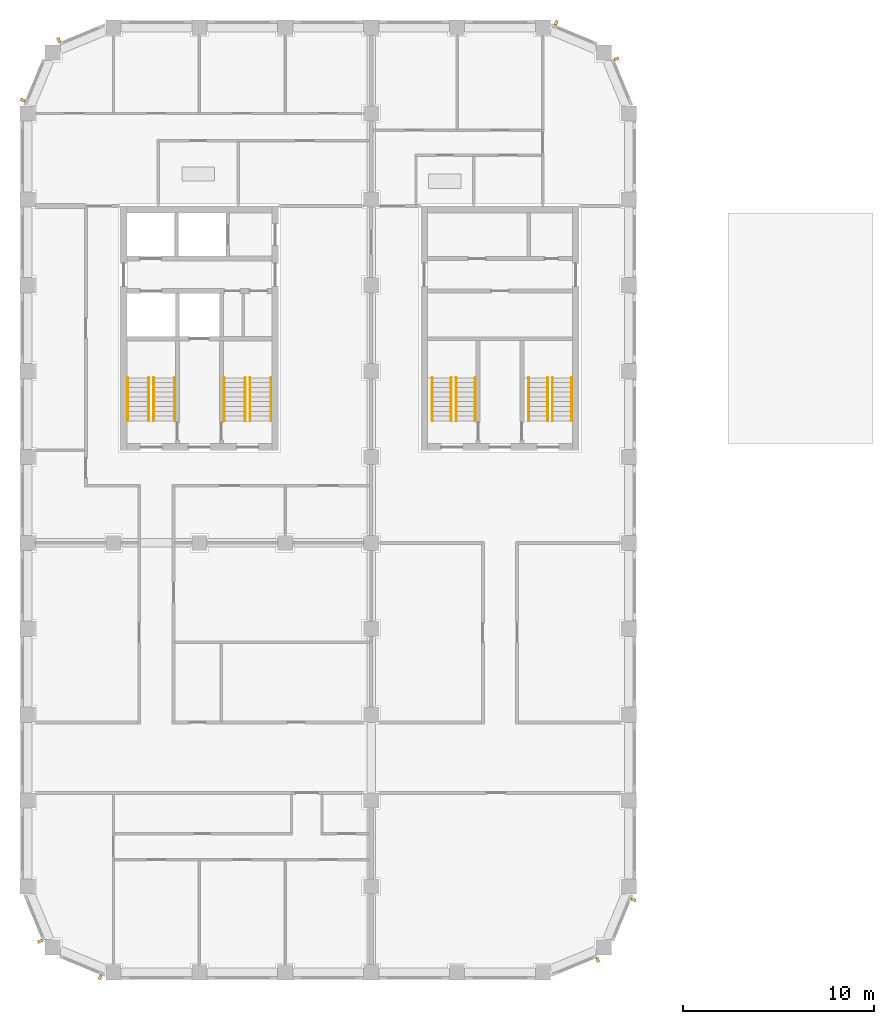
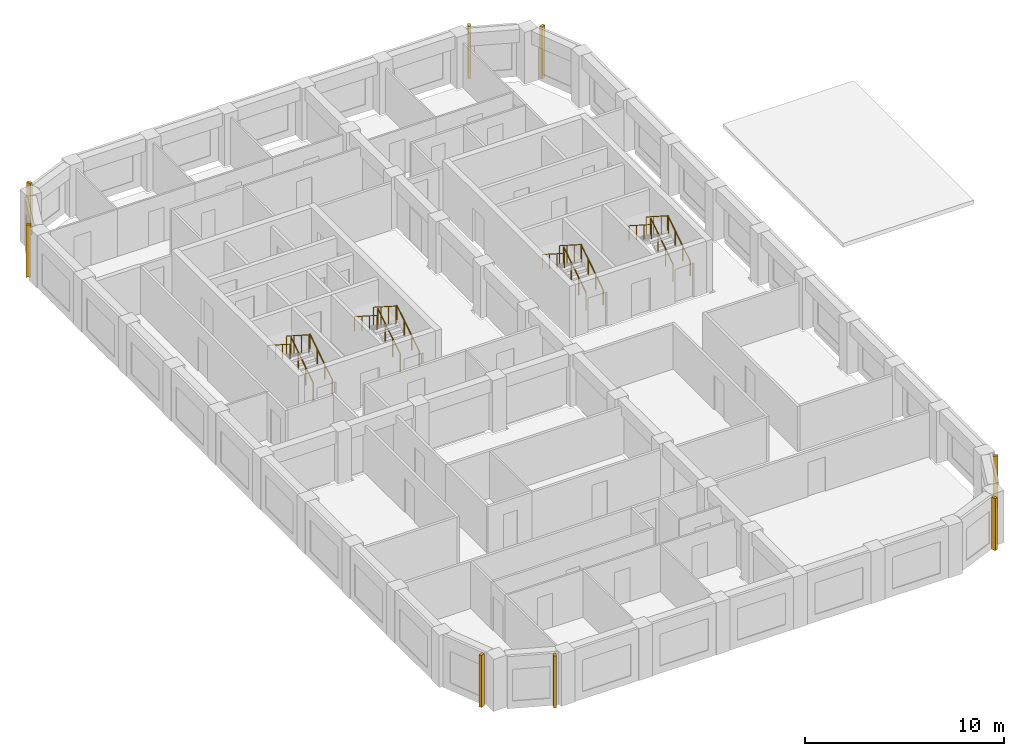
# One storey, part 8 of 9: 16 railings, 8 shading devices.
"""IFC4 building model written with IfcOpenShell, lengths in metres."""

from ifc_helpers import new_model, si_unit, direction, frame, origin, origin_2d, place, context, subcontext, project, spatial, rectangle, circle, extrude, material, type_object, element, save


model = new_model("IFC4")

# Units and contexts
model_context = context("Model", 3, precision=1e-05, world=origin(), true_north=direction((0.0, 1.0)))
body_context = subcontext(model_context, "Body", "Model", "MODEL_VIEW")
ifc_project = project(units=[si_unit("LENGTHUNIT", "METRE"), si_unit("AREAUNIT", "SQUARE_METRE"), si_unit("VOLUMEUNIT", "CUBIC_METRE"), si_unit("PLANEANGLEUNIT", "RADIAN"), si_unit("MASSUNIT", "GRAM", prefix="KILO")], contexts=[model_context])

# Site, building, storey
site_placement = place(None, origin())
site = spatial("IfcSite", under=ifc_project, at=site_placement, CompositionType="ELEMENT")
building_placement = place(site_placement, origin())
building = spatial("IfcBuilding", under=site, at=building_placement, Name="Girih Gate Residences", CompositionType="ELEMENT")
storey_placement = place(building_placement, frame((0.0, 0.0, 179.5)))
storey = spatial("IfcBuildingStorey", under=building, at=storey_placement, Name="L49", CompositionType="ELEMENT", Elevation=179.5)

# Shading devices
ifc_material_1 = material(Name="Precast concrete C50/60", Category="concrete")
shading_device_type = type_object("IfcShadingDeviceType", Name="Corner rib 150x250", PredefinedType="USERDEFINED", material=ifc_material_1)
for number, where, z_axis, x_axis, name in (
    (1, (29.867919921875, 0.646728515625, 0.0), (0.0, 0.0, 1.0), (0.923879532511, 0.382683432365, 0.0), "Corner rib SE0270_0000.0"),
    (2, (31.752685546875, 3.80322265625, 0.0), (0.0, 0.0, 1.0), (0.382683432365, 0.923879532511, 0.0), "Corner rib SE0302_0013.0"),
    (3, (30.853271484375, 47.867919921875, 0.0), (0.0, 0.0, 1.0), (-0.382683432365, 0.923879532511, 0.0), "Corner rib NE0315_0450.0"),
    (4, (27.69677734375, 49.752685546875, 0.0), (0.0, 0.0, 1.0), (-0.923879532511, 0.382683432365, 0.0), "Corner rib NE0302_0482.0"),
    (5, (1.632080078125, 48.853271484375, 0.0), (0.0, 0.0, 1.0), (-0.923879532511, -0.382683432365, 0.0), "Corner rib NW0045_0495.0"),
    (6, (-0.252685546875, 45.69677734375, 0.0), (0.0, 0.0, 1.0), (-0.382683432365, -0.923879532511, 0.0), "Corner rib NW0013_0482.0"),
    (7, (0.646728515625, 1.632080078125, 0.0), (0.0, 0.0, 1.0), (0.382683432365, -0.923879532511, 0.0), "Corner rib SW0000_0045.0"),
    (8, (3.80322265625, -0.252685546875, 0.0), (0.0, 0.0, 1.0), (0.923879532511, -0.382683432365, 0.0), "Corner rib SW0013_0013.0"),
):
    element("IfcShadingDevice", number, at=place(storey_placement, frame(where, z_axis=z_axis, x_axis=x_axis)), inside=storey, type_object=shading_device_type, Name=name, ObjectType="FIN", PredefinedType="USERDEFINED", context=body_context, shape_type="SweptSolid", body=[
        extrude(rectangle(XDim=0.14990234375, YDim=0.25, at=origin_2d()), origin(), (0.0, 0.0, 1.0), 3.199951171875),
    ])

# Railings
ifc_material_2 = material(Name="Stainless steel", Category="steel")
railing_type_1 = type_object("IfcRailingType", Name="Stair guard 1100", PredefinedType="GUARDRAIL", material=ifc_material_2)
railing_1_placement = place(storey_placement, frame((6.60009765625, 28.89990234375, 0.159912109375)))
element("IfcRailing", 9, at=railing_1_placement, inside=storey, type_object=railing_type_1, Name="L49 ST-W1 stair guard 1", PredefinedType="GUARDRAIL", context=body_context, shape_type="SweptSolid", body=[
    extrude(circle(Radius=0.02392578125, at=origin_2d()), frame((0.0, 0.0, 1.076171875), z_axis=(0.0, 0.842239864353, 0.539102968731), x_axis=(-1.0, 0.0, 0.0)), (0.0, 0.0, 1.0), 2.67138671875),
    extrude(circle(Radius=0.02099609375, at=origin_2d()), origin(), (0.0, 0.0, 1.0), 1.052001953125),
    extrude(circle(Radius=0.02099609375, at=origin_2d()), frame((0.0, 0.75, 0.47998046875)), (0.0, 0.0, 1.0), 1.052001953125),
    extrude(circle(Radius=0.02099609375, at=origin_2d()), frame((0.0, 1.5, 0.960205078125)), (0.0, 0.0, 1.0), 1.052001953125),
    extrude(circle(Radius=0.02099609375, at=origin_2d()), frame((0.0, 2.25, 1.440185546875)), (0.0, 0.0, 1.0), 1.052001953125),
])
railing_2_placement = place(storey_placement, frame((6.35009765625, 31.14990234375, 1.760009765625)))
element("IfcRailing", 10, at=railing_2_placement, inside=storey, type_object=railing_type_1, Name="L49 ST-W1 stair guard 2", PredefinedType="GUARDRAIL", context=body_context, shape_type="SweptSolid", body=[
    extrude(circle(Radius=0.02392578125, at=origin_2d()), frame((0.0, 0.0, 1.076171875), z_axis=(0.0, -0.842281359387, 0.539038135598), x_axis=(1.0, 0.0, 0.0)), (0.0, 0.0, 1.0), 2.67138671875),
    extrude(circle(Radius=0.02099609375, at=origin_2d()), origin(), (0.0, 0.0, 1.0), 1.052001953125),
    extrude(circle(Radius=0.02099609375, at=origin_2d()), frame((0.0, -0.75, 0.47998046875)), (0.0, 0.0, 1.0), 1.052001953125),
    extrude(circle(Radius=0.02099609375, at=origin_2d()), frame((0.0, -1.5, 0.9599609375)), (0.0, 0.0, 1.0), 1.052001953125),
    extrude(circle(Radius=0.02099609375, at=origin_2d()), frame((0.0, -2.25, 1.43994140625)), (0.0, 0.0, 1.0), 1.052001953125),
])
railing_3_placement = place(storey_placement, frame((11.64990234375, 28.89990234375, 0.159912109375)))
element("IfcRailing", 11, at=railing_3_placement, inside=storey, type_object=railing_type_1, Name="L49 ST-W2 stair guard 1", PredefinedType="GUARDRAIL", context=body_context, shape_type="SweptSolid", body=[
    extrude(circle(Radius=0.02392578125, at=origin_2d()), frame((0.0, 0.0, 1.076171875), z_axis=(0.0, 0.842239864353, 0.539102968731), x_axis=(-1.0, 0.0, 0.0)), (0.0, 0.0, 1.0), 2.67138671875),
    extrude(circle(Radius=0.02099609375, at=origin_2d()), origin(), (0.0, 0.0, 1.0), 1.052001953125),
    extrude(circle(Radius=0.02099609375, at=origin_2d()), frame((0.0, 0.75, 0.47998046875)), (0.0, 0.0, 1.0), 1.052001953125),
    extrude(circle(Radius=0.02099609375, at=origin_2d()), frame((0.0, 1.5, 0.960205078125)), (0.0, 0.0, 1.0), 1.052001953125),
    extrude(circle(Radius=0.02099609375, at=origin_2d()), frame((0.0, 2.25, 1.440185546875)), (0.0, 0.0, 1.0), 1.052001953125),
])
railing_4_placement = place(storey_placement, frame((11.39990234375, 31.14990234375, 1.760009765625)))
element("IfcRailing", 12, at=railing_4_placement, inside=storey, type_object=railing_type_1, Name="L49 ST-W2 stair guard 2", PredefinedType="GUARDRAIL", context=body_context, shape_type="SweptSolid", body=[
    extrude(circle(Radius=0.02392578125, at=origin_2d()), frame((0.0, 0.0, 1.076171875), z_axis=(0.0, -0.842281359387, 0.539038135598), x_axis=(1.0, 0.0, 0.0)), (0.0, 0.0, 1.0), 2.67138671875),
    extrude(circle(Radius=0.02099609375, at=origin_2d()), origin(), (0.0, 0.0, 1.0), 1.052001953125),
    extrude(circle(Radius=0.02099609375, at=origin_2d()), frame((0.0, -0.75, 0.47998046875)), (0.0, 0.0, 1.0), 1.052001953125),
    extrude(circle(Radius=0.02099609375, at=origin_2d()), frame((0.0, -1.5, 0.9599609375)), (0.0, 0.0, 1.0), 1.052001953125),
    extrude(circle(Radius=0.02099609375, at=origin_2d()), frame((0.0, -2.25, 1.43994140625)), (0.0, 0.0, 1.0), 1.052001953125),
])
railing_5_placement = place(storey_placement, frame((22.449951171875, 28.89990234375, 0.159912109375)))
element("IfcRailing", 13, at=railing_5_placement, inside=storey, type_object=railing_type_1, Name="L49 ST-C1 stair guard 1", PredefinedType="GUARDRAIL", context=body_context, shape_type="SweptSolid", body=[
    extrude(circle(Radius=0.02392578125, at=origin_2d()), frame((0.0, 0.0, 1.076171875), z_axis=(0.0, 0.842239864353, 0.539102968731), x_axis=(-1.0, 0.0, 0.0)), (0.0, 0.0, 1.0), 2.67138671875),
    extrude(circle(Radius=0.02099609375, at=origin_2d()), origin(), (0.0, 0.0, 1.0), 1.052001953125),
    extrude(circle(Radius=0.02099609375, at=origin_2d()), frame((0.0, 0.75, 0.47998046875)), (0.0, 0.0, 1.0), 1.052001953125),
    extrude(circle(Radius=0.02099609375, at=origin_2d()), frame((0.0, 1.5, 0.960205078125)), (0.0, 0.0, 1.0), 1.052001953125),
    extrude(circle(Radius=0.02099609375, at=origin_2d()), frame((0.0, 2.25, 1.440185546875)), (0.0, 0.0, 1.0), 1.052001953125),
])
railing_6_placement = place(storey_placement, frame((22.199951171875, 31.14990234375, 1.760009765625)))
element("IfcRailing", 14, at=railing_6_placement, inside=storey, type_object=railing_type_1, Name="L49 ST-C1 stair guard 2", PredefinedType="GUARDRAIL", context=body_context, shape_type="SweptSolid", body=[
    extrude(circle(Radius=0.02392578125, at=origin_2d()), frame((0.0, 0.0, 1.076171875), z_axis=(0.0, -0.842281359387, 0.539038135598), x_axis=(1.0, 0.0, 0.0)), (0.0, 0.0, 1.0), 2.67138671875),
    extrude(circle(Radius=0.02099609375, at=origin_2d()), origin(), (0.0, 0.0, 1.0), 1.052001953125),
    extrude(circle(Radius=0.02099609375, at=origin_2d()), frame((0.0, -0.75, 0.47998046875)), (0.0, 0.0, 1.0), 1.052001953125),
    extrude(circle(Radius=0.02099609375, at=origin_2d()), frame((0.0, -1.5, 0.9599609375)), (0.0, 0.0, 1.0), 1.052001953125),
    extrude(circle(Radius=0.02099609375, at=origin_2d()), frame((0.0, -2.25, 1.43994140625)), (0.0, 0.0, 1.0), 1.052001953125),
])
railing_7_placement = place(storey_placement, frame((27.5, 28.89990234375, 0.159912109375)))
element("IfcRailing", 15, at=railing_7_placement, inside=storey, type_object=railing_type_1, Name="L49 ST-C2 stair guard 1", PredefinedType="GUARDRAIL", context=body_context, shape_type="SweptSolid", body=[
    extrude(circle(Radius=0.02392578125, at=origin_2d()), frame((0.0, 0.0, 1.076171875), z_axis=(0.0, 0.842239864353, 0.539102968731), x_axis=(-1.0, 0.0, 0.0)), (0.0, 0.0, 1.0), 2.67138671875),
    extrude(circle(Radius=0.02099609375, at=origin_2d()), origin(), (0.0, 0.0, 1.0), 1.052001953125),
    extrude(circle(Radius=0.02099609375, at=origin_2d()), frame((0.0, 0.75, 0.47998046875)), (0.0, 0.0, 1.0), 1.052001953125),
    extrude(circle(Radius=0.02099609375, at=origin_2d()), frame((0.0, 1.5, 0.960205078125)), (0.0, 0.0, 1.0), 1.052001953125),
    extrude(circle(Radius=0.02099609375, at=origin_2d()), frame((0.0, 2.25, 1.440185546875)), (0.0, 0.0, 1.0), 1.052001953125),
])
railing_8_placement = place(storey_placement, frame((27.25, 31.14990234375, 1.760009765625)))
element("IfcRailing", 16, at=railing_8_placement, inside=storey, type_object=railing_type_1, Name="L49 ST-C2 stair guard 2", PredefinedType="GUARDRAIL", context=body_context, shape_type="SweptSolid", body=[
    extrude(circle(Radius=0.02392578125, at=origin_2d()), frame((0.0, 0.0, 1.076171875), z_axis=(0.0, -0.842281359387, 0.539038135598), x_axis=(1.0, 0.0, 0.0)), (0.0, 0.0, 1.0), 2.67138671875),
    extrude(circle(Radius=0.02099609375, at=origin_2d()), origin(), (0.0, 0.0, 1.0), 1.052001953125),
    extrude(circle(Radius=0.02099609375, at=origin_2d()), frame((0.0, -0.75, 0.47998046875)), (0.0, 0.0, 1.0), 1.052001953125),
    extrude(circle(Radius=0.02099609375, at=origin_2d()), frame((0.0, -1.5, 0.9599609375)), (0.0, 0.0, 1.0), 1.052001953125),
    extrude(circle(Radius=0.02099609375, at=origin_2d()), frame((0.0, -2.25, 1.43994140625)), (0.0, 0.0, 1.0), 1.052001953125),
])
railing_type_2 = type_object("IfcRailingType", Name="Stair handrail 900", PredefinedType="HANDRAIL", material=ifc_material_2)
railing_9_placement = place(storey_placement, frame((7.699951171875, 28.89990234375, 0.159912109375)))
element("IfcRailing", 17, at=railing_9_placement, inside=storey, type_object=railing_type_2, Name="L49 ST-W1 stair handrail 1", PredefinedType="HANDRAIL", context=body_context, shape_type="SweptSolid", body=[
    extrude(circle(Radius=0.02392578125, at=origin_2d()), frame((0.0, 0.0, 0.8857421875), z_axis=(0.0, 0.842239864353, 0.539102968731), x_axis=(-1.0, 0.0, 0.0)), (0.0, 0.0, 1.0), 2.67138671875),
    extrude(circle(Radius=0.02099609375, at=origin_2d()), origin(), (0.0, 0.0, 1.0), 0.86181640625),
    extrude(circle(Radius=0.02099609375, at=origin_2d()), frame((0.0, 0.75, 0.47998046875)), (0.0, 0.0, 1.0), 0.86181640625),
    extrude(circle(Radius=0.02099609375, at=origin_2d()), frame((0.0, 1.5, 0.960205078125)), (0.0, 0.0, 1.0), 0.86181640625),
    extrude(circle(Radius=0.02099609375, at=origin_2d()), frame((0.0, 2.25, 1.440185546875)), (0.0, 0.0, 1.0), 0.86181640625),
])
railing_10_placement = place(storey_placement, frame((5.25, 31.14990234375, 1.760009765625)))
element("IfcRailing", 18, at=railing_10_placement, inside=storey, type_object=railing_type_2, Name="L49 ST-W1 stair handrail 2", PredefinedType="HANDRAIL", context=body_context, shape_type="SweptSolid", body=[
    extrude(circle(Radius=0.02392578125, at=origin_2d()), frame((0.0, 0.0, 0.8857421875), z_axis=(0.0, -0.842281359387, 0.539038135598), x_axis=(1.0, 0.0, 0.0)), (0.0, 0.0, 1.0), 2.67138671875),
    extrude(circle(Radius=0.02099609375, at=origin_2d()), origin(), (0.0, 0.0, 1.0), 0.86181640625),
    extrude(circle(Radius=0.02099609375, at=origin_2d()), frame((0.0, -0.75, 0.47998046875)), (0.0, 0.0, 1.0), 0.86181640625),
    extrude(circle(Radius=0.02099609375, at=origin_2d()), frame((0.0, -1.5, 0.9599609375)), (0.0, 0.0, 1.0), 0.86181640625),
    extrude(circle(Radius=0.02099609375, at=origin_2d()), frame((0.0, -2.25, 1.43994140625)), (0.0, 0.0, 1.0), 0.86181640625),
])
railing_11_placement = place(storey_placement, frame((12.75, 28.89990234375, 0.159912109375)))
element("IfcRailing", 19, at=railing_11_placement, inside=storey, type_object=railing_type_2, Name="L49 ST-W2 stair handrail 1", PredefinedType="HANDRAIL", context=body_context, shape_type="SweptSolid", body=[
    extrude(circle(Radius=0.02392578125, at=origin_2d()), frame((0.0, 0.0, 0.8857421875), z_axis=(0.0, 0.842239864353, 0.539102968731), x_axis=(-1.0, 0.0, 0.0)), (0.0, 0.0, 1.0), 2.67138671875),
    extrude(circle(Radius=0.02099609375, at=origin_2d()), origin(), (0.0, 0.0, 1.0), 0.86181640625),
    extrude(circle(Radius=0.02099609375, at=origin_2d()), frame((0.0, 0.75, 0.47998046875)), (0.0, 0.0, 1.0), 0.86181640625),
    extrude(circle(Radius=0.02099609375, at=origin_2d()), frame((0.0, 1.5, 0.960205078125)), (0.0, 0.0, 1.0), 0.86181640625),
    extrude(circle(Radius=0.02099609375, at=origin_2d()), frame((0.0, 2.25, 1.440185546875)), (0.0, 0.0, 1.0), 0.86181640625),
])
railing_12_placement = place(storey_placement, frame((10.300048828125, 31.14990234375, 1.760009765625)))
element("IfcRailing", 20, at=railing_12_placement, inside=storey, type_object=railing_type_2, Name="L49 ST-W2 stair handrail 2", PredefinedType="HANDRAIL", context=body_context, shape_type="SweptSolid", body=[
    extrude(circle(Radius=0.02392578125, at=origin_2d()), frame((0.0, 0.0, 0.8857421875), z_axis=(0.0, -0.842281359387, 0.539038135598), x_axis=(1.0, 0.0, 0.0)), (0.0, 0.0, 1.0), 2.67138671875),
    extrude(circle(Radius=0.02099609375, at=origin_2d()), origin(), (0.0, 0.0, 1.0), 0.86181640625),
    extrude(circle(Radius=0.02099609375, at=origin_2d()), frame((0.0, -0.75, 0.47998046875)), (0.0, 0.0, 1.0), 0.86181640625),
    extrude(circle(Radius=0.02099609375, at=origin_2d()), frame((0.0, -1.5, 0.9599609375)), (0.0, 0.0, 1.0), 0.86181640625),
    extrude(circle(Radius=0.02099609375, at=origin_2d()), frame((0.0, -2.25, 1.43994140625)), (0.0, 0.0, 1.0), 0.86181640625),
])
railing_13_placement = place(storey_placement, frame((23.449951171875, 28.89990234375, 0.159912109375)))
element("IfcRailing", 21, at=railing_13_placement, inside=storey, type_object=railing_type_2, Name="L49 ST-C1 stair handrail 1", PredefinedType="HANDRAIL", context=body_context, shape_type="SweptSolid", body=[
    extrude(circle(Radius=0.02392578125, at=origin_2d()), frame((0.0, 0.0, 0.8857421875), z_axis=(0.0, 0.842239864353, 0.539102968731), x_axis=(-1.0, 0.0, 0.0)), (0.0, 0.0, 1.0), 2.67138671875),
    extrude(circle(Radius=0.02099609375, at=origin_2d()), origin(), (0.0, 0.0, 1.0), 0.86181640625),
    extrude(circle(Radius=0.02099609375, at=origin_2d()), frame((0.0, 0.75, 0.47998046875)), (0.0, 0.0, 1.0), 0.86181640625),
    extrude(circle(Radius=0.02099609375, at=origin_2d()), frame((0.0, 1.5, 0.960205078125)), (0.0, 0.0, 1.0), 0.86181640625),
    extrude(circle(Radius=0.02099609375, at=origin_2d()), frame((0.0, 2.25, 1.440185546875)), (0.0, 0.0, 1.0), 0.86181640625),
])
railing_14_placement = place(storey_placement, frame((21.199951171875, 31.14990234375, 1.760009765625)))
element("IfcRailing", 22, at=railing_14_placement, inside=storey, type_object=railing_type_2, Name="L49 ST-C1 stair handrail 2", PredefinedType="HANDRAIL", context=body_context, shape_type="SweptSolid", body=[
    extrude(circle(Radius=0.02392578125, at=origin_2d()), frame((0.0, 0.0, 0.8857421875), z_axis=(0.0, -0.842281359387, 0.539038135598), x_axis=(1.0, 0.0, 0.0)), (0.0, 0.0, 1.0), 2.67138671875),
    extrude(circle(Radius=0.02099609375, at=origin_2d()), origin(), (0.0, 0.0, 1.0), 0.86181640625),
    extrude(circle(Radius=0.02099609375, at=origin_2d()), frame((0.0, -0.75, 0.47998046875)), (0.0, 0.0, 1.0), 0.86181640625),
    extrude(circle(Radius=0.02099609375, at=origin_2d()), frame((0.0, -1.5, 0.9599609375)), (0.0, 0.0, 1.0), 0.86181640625),
    extrude(circle(Radius=0.02099609375, at=origin_2d()), frame((0.0, -2.25, 1.43994140625)), (0.0, 0.0, 1.0), 0.86181640625),
])
railing_15_placement = place(storey_placement, frame((28.5, 28.89990234375, 0.159912109375)))
element("IfcRailing", 23, at=railing_15_placement, inside=storey, type_object=railing_type_2, Name="L49 ST-C2 stair handrail 1", PredefinedType="HANDRAIL", context=body_context, shape_type="SweptSolid", body=[
    extrude(circle(Radius=0.02392578125, at=origin_2d()), frame((0.0, 0.0, 0.8857421875), z_axis=(0.0, 0.842239864353, 0.539102968731), x_axis=(-1.0, 0.0, 0.0)), (0.0, 0.0, 1.0), 2.67138671875),
    extrude(circle(Radius=0.02099609375, at=origin_2d()), origin(), (0.0, 0.0, 1.0), 0.86181640625),
    extrude(circle(Radius=0.02099609375, at=origin_2d()), frame((0.0, 0.75, 0.47998046875)), (0.0, 0.0, 1.0), 0.86181640625),
    extrude(circle(Radius=0.02099609375, at=origin_2d()), frame((0.0, 1.5, 0.960205078125)), (0.0, 0.0, 1.0), 0.86181640625),
    extrude(circle(Radius=0.02099609375, at=origin_2d()), frame((0.0, 2.25, 1.440185546875)), (0.0, 0.0, 1.0), 0.86181640625),
])
railing_16_placement = place(storey_placement, frame((26.25, 31.14990234375, 1.760009765625)))
element("IfcRailing", 24, at=railing_16_placement, inside=storey, type_object=railing_type_2, Name="L49 ST-C2 stair handrail 2", PredefinedType="HANDRAIL", context=body_context, shape_type="SweptSolid", body=[
    extrude(circle(Radius=0.02392578125, at=origin_2d()), frame((0.0, 0.0, 0.8857421875), z_axis=(0.0, -0.842281359387, 0.539038135598), x_axis=(1.0, 0.0, 0.0)), (0.0, 0.0, 1.0), 2.67138671875),
    extrude(circle(Radius=0.02099609375, at=origin_2d()), origin(), (0.0, 0.0, 1.0), 0.86181640625),
    extrude(circle(Radius=0.02099609375, at=origin_2d()), frame((0.0, -0.75, 0.47998046875)), (0.0, 0.0, 1.0), 0.86181640625),
    extrude(circle(Radius=0.02099609375, at=origin_2d()), frame((0.0, -1.5, 0.9599609375)), (0.0, 0.0, 1.0), 0.86181640625),
    extrude(circle(Radius=0.02099609375, at=origin_2d()), frame((0.0, -2.25, 1.43994140625)), (0.0, 0.0, 1.0), 0.86181640625),
])

save(model, "model.ifc")
